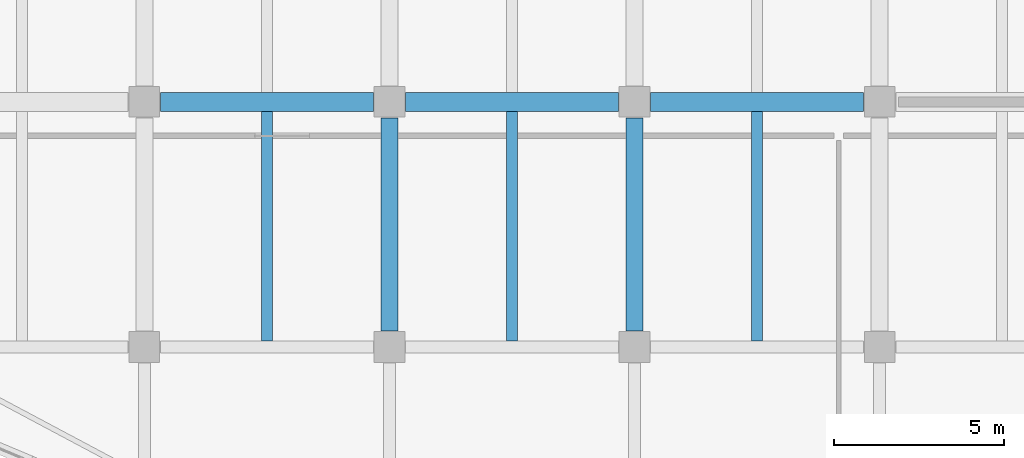
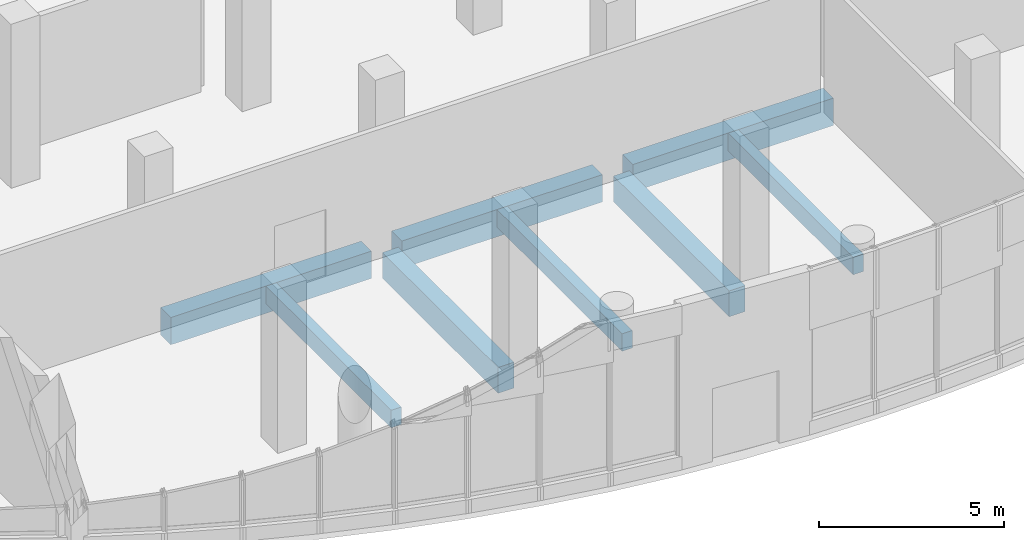
# One storey, part 75 of 192: 8 beams.
"""IFC4 building model written with IfcOpenShell, lengths in metres."""

from ifc_helpers import new_model, si_unit, direction, frame, origin, origin_2d, place, context, subcontext, project, spatial, rectangle, extrude, material, material_profile, profile_set, type_object, element, save


model = new_model("IFC4")

# Units and contexts
model_context = context("Model", 3, precision=1e-05, world=origin(), true_north=direction((0.0, 1.0)))
body_context = subcontext(model_context, "Body", "Model", "MODEL_VIEW")
ifc_project = project(units=[si_unit("LENGTHUNIT", "METRE"), si_unit("AREAUNIT", "SQUARE_METRE"), si_unit("VOLUMEUNIT", "CUBIC_METRE"), si_unit("PLANEANGLEUNIT", "RADIAN"), si_unit("MASSUNIT", "GRAM", prefix="KILO")], contexts=[model_context])

# Site, building, storey
site_placement = place(None, origin())
site = spatial("IfcSite", under=ifc_project, at=site_placement, CompositionType="ELEMENT")
building_placement = place(site_placement, origin())
building = spatial("IfcBuilding", under=site, at=building_placement, Name="Cendralis Lancet Convention Centre", CompositionType="ELEMENT")
storey_placement = place(building_placement, origin())
storey = spatial("IfcBuildingStorey", under=building, at=storey_placement, Name="L00", CompositionType="ELEMENT", Elevation=0.0)

# Beams
ifc_material_1 = material(Name="Concrete G40 (C40/50)", Category="concrete")
ifc_material_profile_1 = material_profile(ifc_material_1, rectangle(XDim=0.550048828125, YDim=0.89990234375, at=origin_2d()), Name="RCB 550x900")
ifc_profile_set_1 = profile_set([ifc_material_profile_1], Name="Concrete G40 (C40/50)")
beam_type_1 = type_object("IfcBeamType", Name="STR-BM-BG06", PredefinedType="BEAM", material=ifc_profile_set_1)
for number, where, z_axis, x_axis, name in (
    (1, (139.675048828125, 14.39990234375, -0.77001953125), (1.0, 0.0, 0.0), (0.0, 1.0, 0.0), "L00 Beam BG06 #0012"),
    (2, (146.875, 14.39990234375, -0.77001953125), (1.0, 0.0, 0.0), (0.0, 1.0, 0.0), "L00 Beam BG06 #0013"),
    (3, (154.074951171875, 14.39990234375, -0.77001953125), (1.0, 0.0, 0.0), (0.0, 1.0, 0.0), "L00 Beam BG06 #0014"),
):
    element("IfcBeam", number, at=place(storey_placement, frame(where, z_axis=z_axis, x_axis=x_axis)), inside=storey, type_object=beam_type_1, Name=name, PredefinedType="BEAM", context=body_context, shape_type="SweptSolid", body=[
        extrude(rectangle(XDim=0.550048828125, YDim=0.89990234375, at=origin_2d()), origin(), (0.0, 0.0, 1.0), 6.25),
    ])
ifc_material_2 = material(Name="Concrete G35 (C35/45)", Category="concrete")
ifc_material_profile_2 = material_profile(ifc_material_2, rectangle(XDim=0.5, YDim=0.85009765625, at=origin_2d()), Name="RCB 500x850")
ifc_profile_set_2 = profile_set([ifc_material_profile_2], Name="Concrete G35 (C35/45)")
beam_type_2 = type_object("IfcBeamType", Name="STR-BM-BG08", PredefinedType="BEAM", material=ifc_profile_set_2)
for number, where, z_axis, x_axis, name in (
    (4, (146.39990234375, 7.675048828125, -0.7451171875), (0.0, 1.0, 0.0), (-1.0, 0.0, 0.0), "L00 Beam BG08 #0059"),
    (5, (153.60009765625, 7.675048828125, -0.7451171875), (0.0, 1.0, 0.0), (-1.0, 0.0, 0.0), "L00 Beam BG08 #0063"),
):
    element("IfcBeam", number, at=place(storey_placement, frame(where, z_axis=z_axis, x_axis=x_axis)), inside=storey, type_object=beam_type_2, Name=name, PredefinedType="BEAM", context=body_context, shape_type="SweptSolid", body=[
        extrude(rectangle(XDim=0.5, YDim=0.85009765625, at=origin_2d()), origin(), (0.0, 0.0, 1.0), 6.25),
    ])
ifc_material_profile_3 = material_profile(ifc_material_2, rectangle(XDim=0.320068359375, YDim=0.580078125, at=origin_2d()), Name="RCB 320x580")
ifc_profile_set_3 = profile_set([ifc_material_profile_3], Name="Concrete G35 (C35/45)")
beam_type_3 = type_object("IfcBeamType", Name="STR-JS-BJ01", PredefinedType="JOIST", material=ifc_profile_set_3)
for number, where, z_axis, x_axis, name in (
    (6, (142.800048828125, 7.375, -0.610107421875), (0.0, 1.0, 0.0), (-1.0, 0.0, 0.0), "L00 Beam BJ01 #0097"),
    (7, (150.0, 7.375, -0.610107421875), (0.0, 1.0, 0.0), (-1.0, 0.0, 0.0), "L00 Beam BJ01 #0101"),
    (8, (157.199951171875, 7.375, -0.610107421875), (0.0, 1.0, 0.0), (-1.0, 0.0, 0.0), "L00 Beam BJ01 #0104"),
):
    element("IfcBeam", number, at=place(storey_placement, frame(where, z_axis=z_axis, x_axis=x_axis)), inside=storey, type_object=beam_type_3, Name=name, PredefinedType="JOIST", context=body_context, shape_type="SweptSolid", body=[
        extrude(rectangle(XDim=0.320068359375, YDim=0.580078125, at=origin_2d()), origin(), (0.0, 0.0, 1.0), 6.75),
    ])

save(model, "model.ifc")
